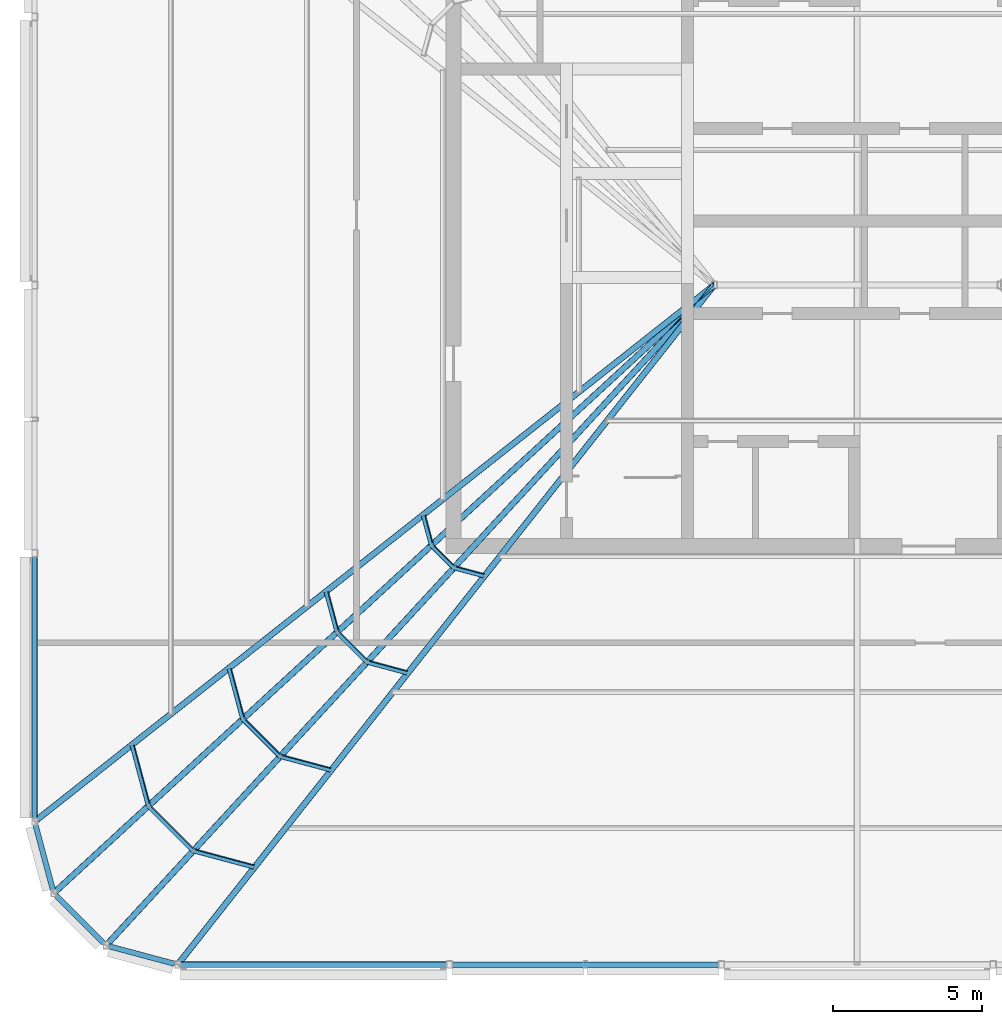
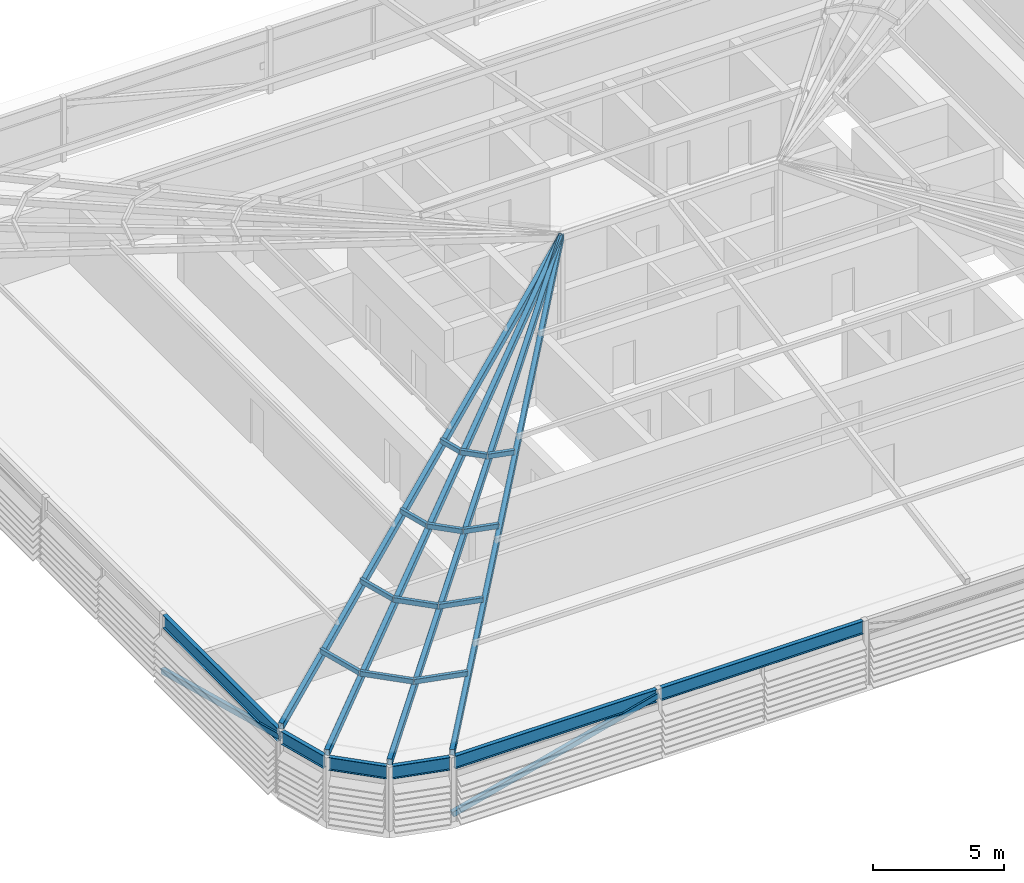
# One storey, part 5 of 46: 18 members, 6 beams.
"""IFC4 building model written with IfcOpenShell, lengths in metres."""

from ifc_helpers import new_model, si_unit, direction, frame, origin, origin_2d, place, context, subcontext, project, spatial, hollow_rectangle, i_section, extrude, material, material_profile, profile_set, type_object, element, save


model = new_model("IFC4")

# Units and contexts
model_context = context("Model", 3, precision=1e-05, world=origin(), true_north=direction((0.0, 1.0)))
body_context = subcontext(model_context, "Body", "Model", "MODEL_VIEW")
ifc_project = project(units=[si_unit("LENGTHUNIT", "METRE"), si_unit("AREAUNIT", "SQUARE_METRE"), si_unit("VOLUMEUNIT", "CUBIC_METRE"), si_unit("PLANEANGLEUNIT", "RADIAN"), si_unit("MASSUNIT", "GRAM", prefix="KILO")], contexts=[model_context])

# Site, building, storey
site_placement = place(None, origin())
site = spatial("IfcSite", under=ifc_project, at=site_placement, CompositionType="ELEMENT")
building_placement = place(site_placement, origin())
building = spatial("IfcBuilding", under=site, at=building_placement, Name="Madar Terraces", CompositionType="ELEMENT")
storey_placement = place(building_placement, frame((0.0, 0.0, 317.300048828125)))
storey = spatial("IfcBuildingStorey", under=building, at=storey_placement, Name="L82", CompositionType="ELEMENT", Elevation=317.300048828125)

# Beams
ifc_material_1 = material(Name="Steel ASTM A992 Grade 50", Category="steel")
ifc_material_profile_1 = material_profile(ifc_material_1, i_section(OverallWidth=0.1787109375, OverallDepth=0.60205078125, WebThickness=0.010986328125, FlangeThickness=0.014892578125, at=origin_2d()), Name="W24x62")
ifc_profile_set_1 = profile_set([ifc_material_profile_1], Name="Steel ASTM A992 Grade 50")
beam_type = type_object("IfcBeamType", Name="CF2 W24x62", PredefinedType="BEAM", material=ifc_profile_set_1)
for number, where, z_axis, x_axis, name in (
    (1, (6.1015625, 1.199951171875, 2.698974609375), (1.0, 0.0, 0.0), (0.0, 1.0, 0.0), "Crown frame ring beam CF2"),
    (2, (15.2216796875, 1.199951171875, 2.698974609375), (1.0, 0.0, 0.0), (0.0, 1.0, 0.0), "Crown frame ring beam CF2"),
):
    element("IfcBeam", number, at=place(storey_placement, frame(where, z_axis=z_axis, x_axis=x_axis)), inside=storey, type_object=beam_type, Name=name, PredefinedType="BEAM", context=body_context, shape_type="SweptSolid", body=[
        extrude(i_section(OverallWidth=0.1787109375, OverallDepth=0.60205078125, WebThickness=0.010986328125, FlangeThickness=0.014892578125, at=origin_2d()), origin(), (0.0, 0.0, 1.0), 8.916748046875),
    ])
beam_1_placement = place(storey_placement, frame((1.199951171875, 14.8984375, 2.698974609375), z_axis=(0.0, -1.0, 0.0), x_axis=(1.0, 0.0, 0.0)))
element("IfcBeam", 3, at=beam_1_placement, inside=storey, type_object=beam_type, Name="Crown frame ring beam CF2", PredefinedType="BEAM", context=body_context, shape_type="SweptSolid", body=[
    extrude(i_section(OverallWidth=0.1787109375, OverallDepth=0.60205078125, WebThickness=0.010986328125, FlangeThickness=0.014892578125, at=origin_2d()), origin(), (0.0, 0.0, 1.0), 8.796875),
])
beam_2_placement = place(storey_placement, frame((1.226318359375, 5.90185546875, 2.698974609375), z_axis=(0.258868028067, -0.965912700012, 0.0), x_axis=(0.965912700012, 0.258868028067, 0.0)))
element("IfcBeam", 4, at=beam_2_placement, inside=storey, type_object=beam_type, Name="Crown frame ring beam CF2", PredefinedType="BEAM", context=body_context, shape_type="SweptSolid", body=[
    extrude(i_section(OverallWidth=0.1787109375, OverallDepth=0.60205078125, WebThickness=0.010986328125, FlangeThickness=0.014892578125, at=origin_2d()), origin(), (0.0, 0.0, 1.0), 2.281494140625),
])
beam_3_placement = place(storey_placement, frame((1.9150390625, 3.528076171875, 2.698974609375), z_axis=(0.707106781187, -0.707106781187, 0.0), x_axis=(0.707106781187, 0.707106781187, 0.0)))
element("IfcBeam", 5, at=beam_3_placement, inside=storey, type_object=beam_type, Name="Crown frame ring beam CF2", PredefinedType="BEAM", context=body_context, shape_type="SweptSolid", body=[
    extrude(i_section(OverallWidth=0.1787109375, OverallDepth=0.60205078125, WebThickness=0.010986328125, FlangeThickness=0.014892578125, at=origin_2d()), origin(), (0.0, 0.0, 1.0), 2.28125),
])
beam_4_placement = place(storey_placement, frame((3.6982421875, 1.81689453125, 2.698974609375), z_axis=(0.965912700012, -0.258868028067, 0.0), x_axis=(0.258868028067, 0.965912700012, 0.0)))
element("IfcBeam", 6, at=beam_4_placement, inside=storey, type_object=beam_type, Name="Crown frame ring beam CF2", PredefinedType="BEAM", context=body_context, shape_type="SweptSolid", body=[
    extrude(i_section(OverallWidth=0.1787109375, OverallDepth=0.60205078125, WebThickness=0.010986328125, FlangeThickness=0.014892578125, at=origin_2d()), origin(), (0.0, 0.0, 1.0), 2.281494140625),
])

# Members
ifc_material_2 = material(Name="Steel ASTM A500 Grade C", Category="steel")
ifc_material_profile_2 = material_profile(ifc_material_2, hollow_rectangle(XDim=0.203125, YDim=0.3046875, WallThickness=0.00634765625, InnerFilletRadius=0.0029296875, OuterFilletRadius=0.0087890625, at=origin_2d()), Name="HSS12x8x.25")
ifc_profile_set_2 = profile_set([ifc_material_profile_2], Name="Steel ASTM A500 Grade C")
member_type_1 = type_object("IfcMemberType", Name="CF3 HSS12x8x.25", PredefinedType="RAFTER", material=ifc_profile_set_2)
for number, where, z_axis, x_axis, name in (
    (7, (6.012939453125, 1.21630859375, 3.149169921875), (0.613851215906, 0.777546538658, 0.136411381312), (-0.784883410926, 0.619643471081, 0.0), "Crown frame hip rafter 1"),
    (8, (1.21630859375, 6.012939453125, 3.149169921875), (0.777546538658, 0.613851215906, 0.136411381312), (-0.619643471081, 0.784883410926, 0.0), "Crown frame hip rafter 14"),
):
    element("IfcMember", number, at=place(storey_placement, frame(where, z_axis=z_axis, x_axis=x_axis)), inside=storey, type_object=member_type_1, Name=name, PredefinedType="RAFTER", context=body_context, shape_type="SweptSolid", body=[
        extrude(hollow_rectangle(XDim=0.203125, YDim=0.3046875, WallThickness=0.00634765625, InnerFilletRadius=0.0029296875, OuterFilletRadius=0.0087890625, at=origin_2d()), origin(), (0.0, 0.0, 1.0), 29.322998046875),
    ])
for number, where, z_axis, x_axis, name in (
    (9, (1.85791015625, 3.613525390625, 3.149169921875), (0.729263544314, 0.671447346666, 0.131655397118), (-0.677343250898, 0.735667126126, 0.0), "Crown frame hip rafter 15"),
    (10, (3.613525390625, 1.85791015625, 3.149169921875), (0.671447346666, 0.729263544314, 0.131655397118), (-0.735667126126, 0.677343250898, 0.0), "Crown frame hip rafter 16"),
):
    element("IfcMember", number, at=place(storey_placement, frame(where, z_axis=z_axis, x_axis=x_axis)), inside=storey, type_object=member_type_1, Name=name, PredefinedType="RAFTER", context=body_context, shape_type="SweptSolid", body=[
        extrude(hollow_rectangle(XDim=0.203125, YDim=0.3046875, WallThickness=0.00634765625, InnerFilletRadius=0.0029296875, OuterFilletRadius=0.0087890625, at=origin_2d()), origin(), (0.0, 0.0, 1.0), 30.38232421875),
    ])
ifc_material_3 = material(Name="Steel ASTM A500 Grade C", Category="steel")
ifc_material_profile_3 = material_profile(ifc_material_3, hollow_rectangle(XDim=0.126953125, YDim=0.25390625, WallThickness=0.00634765625, InnerFilletRadius=0.0029296875, OuterFilletRadius=0.0087890625, at=origin_2d()), Name="HSS10x5x.25")
ifc_profile_set_3 = profile_set([ifc_material_profile_3], Name="Steel ASTM A500 Grade C")
member_type_2 = type_object("IfcMemberType", Name="CF4 HSS10x5x.25", PredefinedType="PURLIN", material=ifc_profile_set_3)
member_1_placement = place(storey_placement, frame((4.4736328125, 8.575927734375, 3.999755859375), z_axis=(0.258846864828, -0.965918371587, 0.0), x_axis=(0.9571958065, 0.256509391298, 0.13408624163)))
element("IfcMember", 11, at=member_1_placement, inside=storey, type_object=member_type_2, Name="Crown frame purlin 53", PredefinedType="PURLIN", context=body_context, shape_type="SweptSolid", body=[
    extrude(hollow_rectangle(XDim=0.126953125, YDim=0.25390625, WallThickness=0.00634765625, InnerFilletRadius=0.0029296875, OuterFilletRadius=0.0087890625, at=origin_2d()), origin(), (0.0, 0.0, 1.0), 2.129638671875),
])
member_2_placement = place(storey_placement, frame((7.730712890625, 11.147216796875, 4.5712890625), z_axis=(0.258878180119, -0.965909979169, 0.0), x_axis=(0.957187489869, 0.256540423801, 0.13408624163)))
element("IfcMember", 12, at=member_2_placement, inside=storey, type_object=member_type_2, Name="Crown frame purlin 54", PredefinedType="PURLIN", context=body_context, shape_type="SweptSolid", body=[
    extrude(hollow_rectangle(XDim=0.126953125, YDim=0.25390625, WallThickness=0.00634765625, InnerFilletRadius=0.0029296875, OuterFilletRadius=0.0087890625, at=origin_2d()), origin(), (0.0, 0.0, 1.0), 1.77490234375),
])
member_3_placement = place(storey_placement, frame((10.98779296875, 13.71875, 5.142578125), z_axis=(0.258925145951, -0.965897390407, 0.0), x_axis=(0.957175014787, 0.256586965516, 0.13408624163)))
element("IfcMember", 13, at=member_3_placement, inside=storey, type_object=member_type_2, Name="Crown frame purlin 55", PredefinedType="PURLIN", context=body_context, shape_type="SweptSolid", body=[
    extrude(hollow_rectangle(XDim=0.126953125, YDim=0.25390625, WallThickness=0.00634765625, InnerFilletRadius=0.0029296875, OuterFilletRadius=0.0087890625, at=origin_2d()), origin(), (0.0, 0.0, 1.0), 1.419921875),
])
member_4_placement = place(storey_placement, frame((14.2451171875, 16.2900390625, 5.714111328125), z_axis=(0.258632936414, -0.965975674746, 0.0), x_axis=(0.957252592193, 0.256297394729, 0.13408624163)))
element("IfcMember", 14, at=member_4_placement, inside=storey, type_object=member_type_2, Name="Crown frame purlin 56", PredefinedType="PURLIN", context=body_context, shape_type="SweptSolid", body=[
    extrude(hollow_rectangle(XDim=0.126953125, YDim=0.25390625, WallThickness=0.00634765625, InnerFilletRadius=0.0029296875, OuterFilletRadius=0.0087890625, at=origin_2d()), origin(), (0.0, 0.0, 1.0), 1.064697265625),
])
member_5_placement = place(storey_placement, frame((5.020263671875, 6.526123046875, 3.999755859375), z_axis=(0.707106781187, -0.707106781187, 0.0), x_axis=(0.700941463334, 0.700941463334, 0.131765435371)))
element("IfcMember", 15, at=member_5_placement, inside=storey, type_object=member_type_2, Name="Crown frame purlin 57", PredefinedType="PURLIN", context=body_context, shape_type="SweptSolid", body=[
    extrude(hollow_rectangle(XDim=0.126953125, YDim=0.25390625, WallThickness=0.00634765625, InnerFilletRadius=0.0029296875, OuterFilletRadius=0.0087890625, at=origin_2d()), origin(), (0.0, 0.0, 1.0), 2.129638671875),
])
member_6_placement = place(storey_placement, frame((8.185546875, 9.4404296875, 4.571044921875), z_axis=(0.707106781187, -0.707106781187, 0.0), x_axis=(0.700941463334, 0.700941463334, 0.131765435371)))
element("IfcMember", 16, at=member_6_placement, inside=storey, type_object=member_type_2, Name="Crown frame purlin 58", PredefinedType="PURLIN", context=body_context, shape_type="SweptSolid", body=[
    extrude(hollow_rectangle(XDim=0.126953125, YDim=0.25390625, WallThickness=0.00634765625, InnerFilletRadius=0.0029296875, OuterFilletRadius=0.0087890625, at=origin_2d()), origin(), (0.0, 0.0, 1.0), 1.774658203125),
])
member_7_placement = place(storey_placement, frame((11.350830078125, 12.354736328125, 5.142578125), z_axis=(0.707106781187, -0.707106781187, 0.0), x_axis=(0.700941463334, 0.700941463334, 0.131765435371)))
element("IfcMember", 17, at=member_7_placement, inside=storey, type_object=member_type_2, Name="Crown frame purlin 59", PredefinedType="PURLIN", context=body_context, shape_type="SweptSolid", body=[
    extrude(hollow_rectangle(XDim=0.126953125, YDim=0.25390625, WallThickness=0.00634765625, InnerFilletRadius=0.0029296875, OuterFilletRadius=0.0087890625, at=origin_2d()), origin(), (0.0, 0.0, 1.0), 1.419677734375),
])
member_8_placement = place(storey_placement, frame((14.51611328125, 15.26904296875, 5.7138671875), z_axis=(0.707106781187, -0.707106781187, 0.0), x_axis=(0.700941463334, 0.700941463334, 0.131765435371)))
element("IfcMember", 18, at=member_8_placement, inside=storey, type_object=member_type_2, Name="Crown frame purlin 60", PredefinedType="PURLIN", context=body_context, shape_type="SweptSolid", body=[
    extrude(hollow_rectangle(XDim=0.126953125, YDim=0.25390625, WallThickness=0.00634765625, InnerFilletRadius=0.0029296875, OuterFilletRadius=0.0087890625, at=origin_2d()), origin(), (0.0, 0.0, 1.0), 1.064697265625),
])
member_9_placement = place(storey_placement, frame((6.518798828125, 5.02490234375, 3.999755859375), z_axis=(0.965918371587, -0.258846864828, 0.0), x_axis=(0.256509391298, 0.9571958065, 0.13408624163)))
element("IfcMember", 19, at=member_9_placement, inside=storey, type_object=member_type_2, Name="Crown frame purlin 61", PredefinedType="PURLIN", context=body_context, shape_type="SweptSolid", body=[
    extrude(hollow_rectangle(XDim=0.126953125, YDim=0.25390625, WallThickness=0.00634765625, InnerFilletRadius=0.0029296875, OuterFilletRadius=0.0087890625, at=origin_2d()), origin(), (0.0, 0.0, 1.0), 2.129638671875),
])
member_10_placement = place(storey_placement, frame((9.432861328125, 8.190185546875, 4.5712890625), z_axis=(0.965909979169, -0.258878180119, 0.0), x_axis=(0.256540423801, 0.957187489869, 0.13408624163)))
element("IfcMember", 20, at=member_10_placement, inside=storey, type_object=member_type_2, Name="Crown frame purlin 62", PredefinedType="PURLIN", context=body_context, shape_type="SweptSolid", body=[
    extrude(hollow_rectangle(XDim=0.126953125, YDim=0.25390625, WallThickness=0.00634765625, InnerFilletRadius=0.0029296875, OuterFilletRadius=0.0087890625, at=origin_2d()), origin(), (0.0, 0.0, 1.0), 1.77490234375),
])
member_11_placement = place(storey_placement, frame((12.34716796875, 11.35546875, 5.142578125), z_axis=(0.965897390407, -0.258925145951, 0.0), x_axis=(0.256586965516, 0.957175014787, 0.13408624163)))
element("IfcMember", 21, at=member_11_placement, inside=storey, type_object=member_type_2, Name="Crown frame purlin 63", PredefinedType="PURLIN", context=body_context, shape_type="SweptSolid", body=[
    extrude(hollow_rectangle(XDim=0.126953125, YDim=0.25390625, WallThickness=0.00634765625, InnerFilletRadius=0.0029296875, OuterFilletRadius=0.0087890625, at=origin_2d()), origin(), (0.0, 0.0, 1.0), 1.419921875),
])
member_12_placement = place(storey_placement, frame((15.261474609375, 14.5205078125, 5.714111328125), z_axis=(0.965975674746, -0.258632936414, 0.0), x_axis=(0.256297394729, 0.957252592193, 0.13408624163)))
element("IfcMember", 22, at=member_12_placement, inside=storey, type_object=member_type_2, Name="Crown frame purlin 64", PredefinedType="PURLIN", context=body_context, shape_type="SweptSolid", body=[
    extrude(hollow_rectangle(XDim=0.126953125, YDim=0.25390625, WallThickness=0.00634765625, InnerFilletRadius=0.0029296875, OuterFilletRadius=0.0087890625, at=origin_2d()), origin(), (0.0, 0.0, 1.0), 1.064697265625),
])
ifc_material_4 = material(Name="Steel ASTM A500 Grade C", Category="steel")
ifc_material_profile_4 = material_profile(ifc_material_4, hollow_rectangle(XDim=0.203125, YDim=0.25390625, WallThickness=0.009521484375, InnerFilletRadius=0.00439453125, OuterFilletRadius=0.01318359375, at=origin_2d()), Name="HSS10x8x.375")
ifc_profile_set_4 = profile_set([ifc_material_profile_4], Name="Steel ASTM A500 Grade C")
member_type_3 = type_object("IfcMemberType", Name="CF5 crown frame brace HSS10x8x.375", PredefinedType="BRACE", material=ifc_profile_set_4)
member_13_placement = place(storey_placement, frame((6.0, 1.199951171875, 0.300048828125), z_axis=(0.967103370948, 0.0, 0.254383706043), x_axis=(0.0, 1.0, 0.0)))
element("IfcMember", 23, at=member_13_placement, inside=storey, type_object=member_type_3, Name="Crown frame brace CF5", PredefinedType="BRACE", context=body_context, shape_type="SweptSolid", body=[
    extrude(hollow_rectangle(XDim=0.203125, YDim=0.25390625, WallThickness=0.009521484375, InnerFilletRadius=0.00439453125, OuterFilletRadius=0.01318359375, at=origin_2d()), origin(), (0.0, 0.0, 1.0), 9.430419921875),
])
member_14_placement = place(storey_placement, frame((1.199951171875, 15.0, 0.300048828125), z_axis=(0.0, -0.966263646701, 0.257554974839), x_axis=(1.0, 0.0, 0.0)))
element("IfcMember", 24, at=member_14_placement, inside=storey, type_object=member_type_3, Name="Crown frame brace CF5", PredefinedType="BRACE", context=body_context, shape_type="SweptSolid", body=[
    extrude(hollow_rectangle(XDim=0.203125, YDim=0.25390625, WallThickness=0.009521484375, InnerFilletRadius=0.00439453125, OuterFilletRadius=0.01318359375, at=origin_2d()), origin(), (0.0, 0.0, 1.0), 9.314208984375),
])

save(model, "model.ifc")
